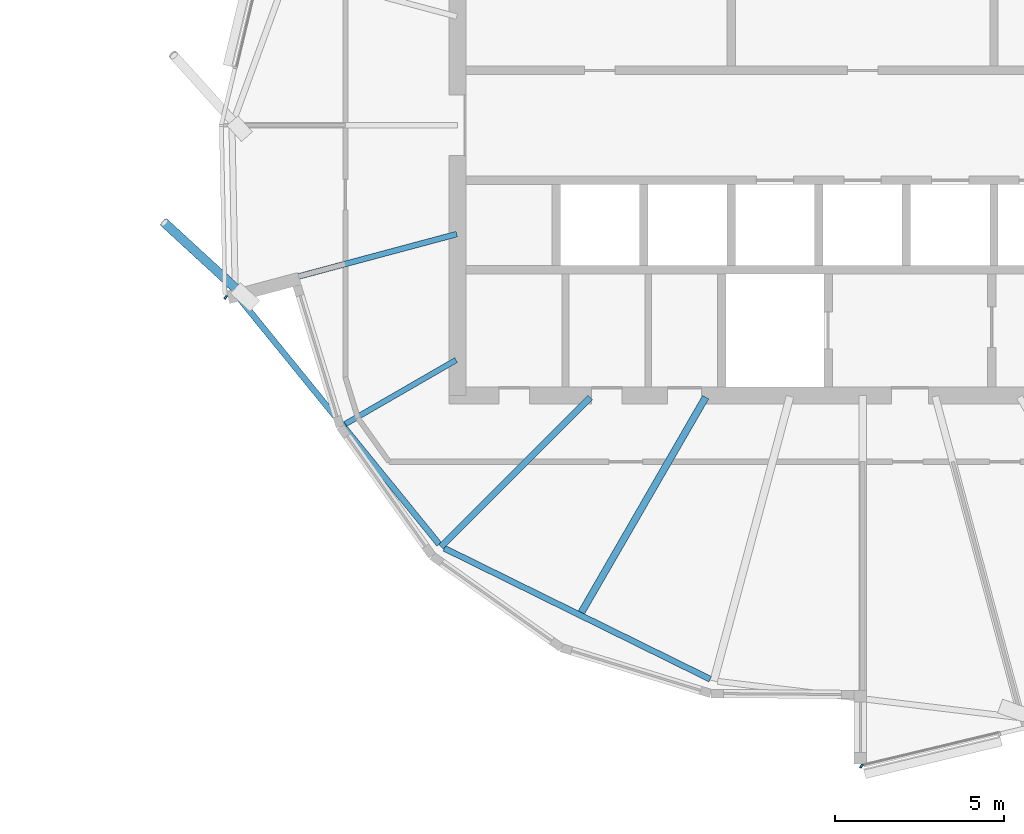
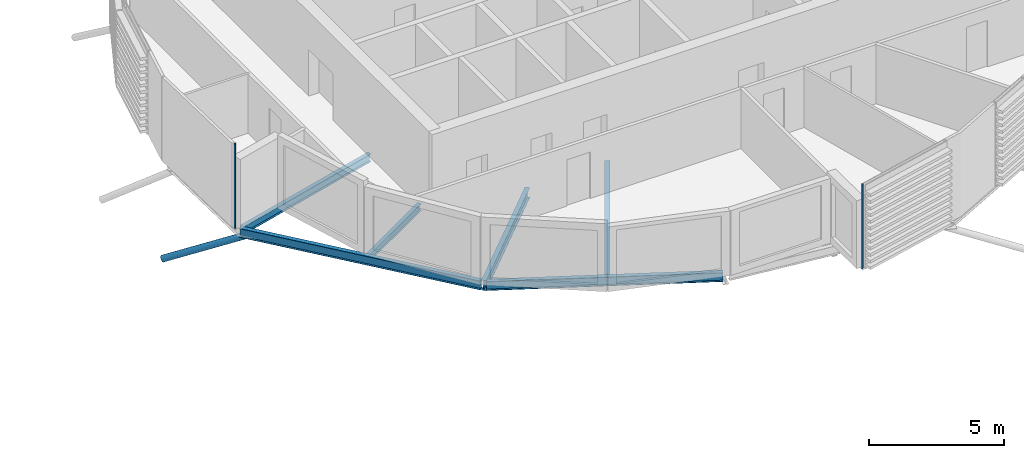
# One storey, part 9 of 34: 6 beams, 3 members, 1 element without a shape of its own.
"""IFC4 building model written with IfcOpenShell, lengths in metres."""

from ifc_helpers import new_model, si_unit, direction, frame, origin, origin_2d, place, context, subcontext, project, spatial, rectangle, hollow_circle, i_section, extrude, clip, halfspace, material, material_profile, profile_set, type_object, element, aggregate, save


model = new_model("IFC4")

# Units and contexts
model_context = context("Model", 3, precision=1e-05, world=origin(), true_north=direction((0.0, 1.0)))
body_context = subcontext(model_context, "Body", "Model", "MODEL_VIEW")
ifc_project = project(units=[si_unit("LENGTHUNIT", "METRE"), si_unit("AREAUNIT", "SQUARE_METRE"), si_unit("VOLUMEUNIT", "CUBIC_METRE"), si_unit("PLANEANGLEUNIT", "RADIAN"), si_unit("MASSUNIT", "GRAM", prefix="KILO")], contexts=[model_context])

# Site, building, storey
site_placement = place(None, origin())
site = spatial("IfcSite", under=ifc_project, at=site_placement, CompositionType="ELEMENT")
building_placement = place(site_placement, origin())
building = spatial("IfcBuilding", under=site, at=building_placement, Name="Rimbun Link Towers", CompositionType="ELEMENT")
storey_placement = place(building_placement, frame((0.0, 0.0, 252.300048828125)))
storey = spatial("IfcBuildingStorey", under=building, at=storey_placement, Name="L62", CompositionType="ELEMENT", Elevation=252.300048828125)

# Curtain wall, members
ifc_material_1 = material(Name="Aluminium 6063-T6 and low-iron glass", Category="aluminium")
curtain_wall_type = type_object("IfcCurtainWallType", Name="CW1-Z4 unitised vision wall (zone 4)", PredefinedType="NOTDEFINED", material=ifc_material_1)
curtain_wall_placement = place(storey_placement, origin())
curtain_wall = element("IfcCurtainWall", 1, at=curtain_wall_placement, inside=storey, type_object=curtain_wall_type, Name="CW1 L62 T2", PredefinedType="NOTDEFINED")
ifc_material_2 = material(Name="Aluminium 6063-T6", Category="aluminium")
ifc_material_profile_1 = material_profile(ifc_material_2, rectangle(XDim=0.1201171875, YDim=0.06005859375, at=origin_2d()), Name="MULLION 60X120")
ifc_profile_set_1 = profile_set([ifc_material_profile_1], Name="Aluminium 6063-T6")
member_type_1 = type_object("IfcMemberType", Name="CW1 mullion 60X120", PredefinedType="MULLION", material=ifc_profile_set_1)
member_1_placement = place(storey_placement, frame((12.881103515625, -5.09423828125, 0.0), z_axis=(0.0, 0.0, 1.0), x_axis=(-0.600371695209, -0.799721093627, 0.0)))
member_1 = element("IfcMember", 2, at=member_1_placement, type_object=member_type_1, Name="CW1 mullion", PredefinedType="MULLION", context=body_context, shape_type="SweptSolid", body=[
    extrude(rectangle(XDim=0.1201171875, YDim=0.06005859375, at=origin_2d()), origin(), (0.0, 0.0, 1.0), 3.800048828125),
])
member_2_placement = place(storey_placement, frame((31.712890625, -18.986328125, 0.0), z_axis=(0.0, 0.0, 1.0), x_axis=(-0.619433344122, -0.785049254627, 0.0)))
member_2 = element("IfcMember", 3, at=member_2_placement, type_object=member_type_1, Name="CW1 mullion", PredefinedType="MULLION", context=body_context, shape_type="SweptSolid", body=[
    extrude(rectangle(XDim=0.1201171875, YDim=0.06005859375, at=origin_2d()), origin(), (0.0, 0.0, 1.0), 3.800048828125),
])
aggregate(curtain_wall, [member_1, member_2])

# Member
ifc_material_3 = material(Name="Steel S355J2H", Category="steel")
ifc_material_profile_2 = material_profile(ifc_material_3, hollow_circle(Radius=0.136474609375, WallThickness=0.012451171875, at=origin_2d()), Name="CHS 273x12.5")
ifc_profile_set_2 = profile_set([ifc_material_profile_2], Name="Steel S355J2H")
member_type_2 = type_object("IfcMemberType", Name="Floor edge link CHS 273x12.5", PredefinedType="BRACE", material=ifc_profile_set_2)
member_3_placement = place(storey_placement, frame((13.303466796875, -4.942626953125, -0.6181640625), z_axis=(-0.661690455061, 0.608375837008, -0.43822891578), x_axis=(-0.676827908369, -0.736141278868, 0.0)))
element("IfcMember", 4, at=member_3_placement, inside=storey, type_object=member_type_2, Name="Floor edge link T2 L62 10", PredefinedType="BRACE", context=body_context, shape_type="Clipping", body=[
    clip(extrude(hollow_circle(Radius=0.136474609375, WallThickness=0.012451171875, at=origin_2d()), frame((0.0, 0.0, -0.582763671875)), (0.0, 0.0, 1.0), 3.98046875), halfspace(frame((0.0, 0.0, -0.2763671875), z_axis=(0.0, 0.898863403068, -0.43822891578)), False)),
])

# Beams
ifc_material_4 = material(Name="Steel S355J2", Category="steel")
ifc_material_profile_3 = material_profile(ifc_material_4, i_section(OverallWidth=0.1650390625, OverallDepth=0.303466796875, WebThickness=0.006103515625, FlangeThickness=0.01025390625, at=origin_2d()), Name="UB 305x165x40")
ifc_profile_set_3 = profile_set([ifc_material_profile_3], Name="Steel S355J2")
beam_type_1 = type_object("IfcBeamType", Name="UB 305x165x40", PredefinedType="BEAM", material=ifc_profile_set_3)
beam_1_placement = place(storey_placement, frame((19.7080078125, -6.952392578125, -0.291748046875), z_axis=(-0.866034321076, -0.49998455448, 0.0), x_axis=(0.49998455448, -0.866034321076, 0.0)))
element("IfcBeam", 5, at=beam_1_placement, inside=storey, type_object=beam_type_1, Name="Radial beam T2 L62 11", PredefinedType="BEAM", context=body_context, shape_type="SweptSolid", body=[
    extrude(i_section(OverallWidth=0.1650390625, OverallDepth=0.303466796875, WebThickness=0.006103515625, FlangeThickness=0.01025390625, at=origin_2d()), origin(), (0.0, 0.0, 1.0), 3.78955078125),
])
ifc_material_5 = material(Name="Steel S355J2", Category="steel")
ifc_material_profile_4 = material_profile(ifc_material_5, i_section(OverallWidth=0.17138671875, OverallDepth=0.35498046875, WebThickness=0.00732421875, FlangeThickness=0.011474609375, at=origin_2d()), Name="UB 356x171x51")
ifc_profile_set_4 = profile_set([ifc_material_profile_4], Name="Steel S355J2")
beam_type_2 = type_object("IfcBeamType", Name="UB 356x171x51", PredefinedType="BEAM", material=ifc_profile_set_4)
beam_2_placement = place(storey_placement, frame((19.726806640625, -3.2216796875, -0.317626953125), z_axis=(-0.965923978745, -0.258825940132, 0.0), x_axis=(0.258825940132, -0.965923978745, 0.0)))
element("IfcBeam", 6, at=beam_2_placement, inside=storey, type_object=beam_type_2, Name="Radial beam T2 L62 10", PredefinedType="BEAM", context=body_context, shape_type="SweptSolid", body=[
    extrude(i_section(OverallWidth=0.17138671875, OverallDepth=0.35498046875, WebThickness=0.00732421875, FlangeThickness=0.011474609375, at=origin_2d()), origin(), (0.0, 0.0, 1.0), 6.699951171875),
])
ifc_material_6 = material(Name="Steel S355J2", Category="steel")
ifc_material_profile_5 = material_profile(ifc_material_6, i_section(OverallWidth=0.177978515625, OverallDepth=0.406494140625, WebThickness=0.0078125, FlangeThickness=0.0126953125, at=origin_2d()), Name="UB 406x178x60")
ifc_profile_set_5 = profile_set([ifc_material_profile_5], Name="Steel S355J2")
beam_type_3 = type_object("IfcBeamType", Name="UB 406x178x60", PredefinedType="BEAM", material=ifc_profile_set_5)
beam_3_placement = place(storey_placement, frame((13.16650390625, -4.98046875, -0.34326171875), z_axis=(0.63083645057, -0.775915828316, 0.0), x_axis=(0.775915828316, 0.63083645057, 0.0)))
element("IfcBeam", 7, at=beam_3_placement, inside=storey, type_object=beam_type_3, Name="Edge beam T2 L62 10-12", PredefinedType="BEAM", context=body_context, shape_type="SweptSolid", body=[
    extrude(i_section(OverallWidth=0.177978515625, OverallDepth=0.406494140625, WebThickness=0.0078125, FlangeThickness=0.0126953125, at=origin_2d()), origin(), (0.0, 0.0, 1.0), 9.573486328125),
])
beam_4_placement = place(storey_placement, frame((19.357421875, -12.5283203125, -0.34326171875), z_axis=(0.897162878606, -0.441699863314, 0.0), x_axis=(0.441699863314, 0.897162878606, 0.0)))
element("IfcBeam", 8, at=beam_4_placement, inside=storey, type_object=beam_type_3, Name="Edge beam T2 L62 12-14", PredefinedType="BEAM", context=body_context, shape_type="SweptSolid", body=[
    extrude(i_section(OverallWidth=0.177978515625, OverallDepth=0.406494140625, WebThickness=0.0078125, FlangeThickness=0.0126953125, at=origin_2d()), origin(), (0.0, 0.0, 1.0), 8.78076171875),
])
ifc_material_7 = material(Name="Steel S355J2", Category="steel")
ifc_material_profile_6 = material_profile(ifc_material_7, i_section(OverallWidth=0.18994140625, OverallDepth=0.453369140625, WebThickness=0.008544921875, FlangeThickness=0.0126953125, at=origin_2d()), Name="UB 457x191x67")
ifc_profile_set_6 = profile_set([ifc_material_profile_6], Name="Steel S355J2")
beam_type_4 = type_object("IfcBeamType", Name="UB 457x191x67", PredefinedType="BEAM", material=ifc_profile_set_6)
beam_5_placement = place(storey_placement, frame((23.68212890625, -8.06787109375, -0.36669921875), z_axis=(-0.707106781187, -0.707106781187, 0.0), x_axis=(0.707106781187, -0.707106781187, 0.0)))
element("IfcBeam", 9, at=beam_5_placement, inside=storey, type_object=beam_type_4, Name="Radial beam T2 L62 12", PredefinedType="BEAM", context=body_context, shape_type="SweptSolid", body=[
    extrude(i_section(OverallWidth=0.18994140625, OverallDepth=0.453369140625, WebThickness=0.008544921875, FlangeThickness=0.0126953125, at=origin_2d()), origin(), (0.0, 0.0, 1.0), 6.244384765625),
])
ifc_material_8 = material(Name="Steel S355J2", Category="steel")
ifc_material_profile_7 = material_profile(ifc_material_8, i_section(OverallWidth=0.209228515625, OverallDepth=0.533203125, WebThickness=0.010009765625, FlangeThickness=0.015625, at=origin_2d()), Name="UB 533x210x92")
ifc_profile_set_7 = profile_set([ifc_material_profile_7], Name="Steel S355J2")
beam_type_5 = type_object("IfcBeamType", Name="UB 533x210x92", PredefinedType="BEAM", material=ifc_profile_set_7)
beam_6_placement = place(storey_placement, frame((27.1005859375, -8.05322265625, -0.406494140625), z_axis=(-0.500020076982, -0.866013812023, 0.0), x_axis=(0.866013812023, -0.500020076982, 0.0)))
element("IfcBeam", 10, at=beam_6_placement, inside=storey, type_object=beam_type_5, Name="Radial beam T2 L62 13", PredefinedType="BEAM", context=body_context, shape_type="SweptSolid", body=[
    extrude(i_section(OverallWidth=0.209228515625, OverallDepth=0.533203125, WebThickness=0.010009765625, FlangeThickness=0.015625, at=origin_2d()), origin(), (0.0, 0.0, 1.0), 7.361083984375),
])

save(model, "model.ifc")
